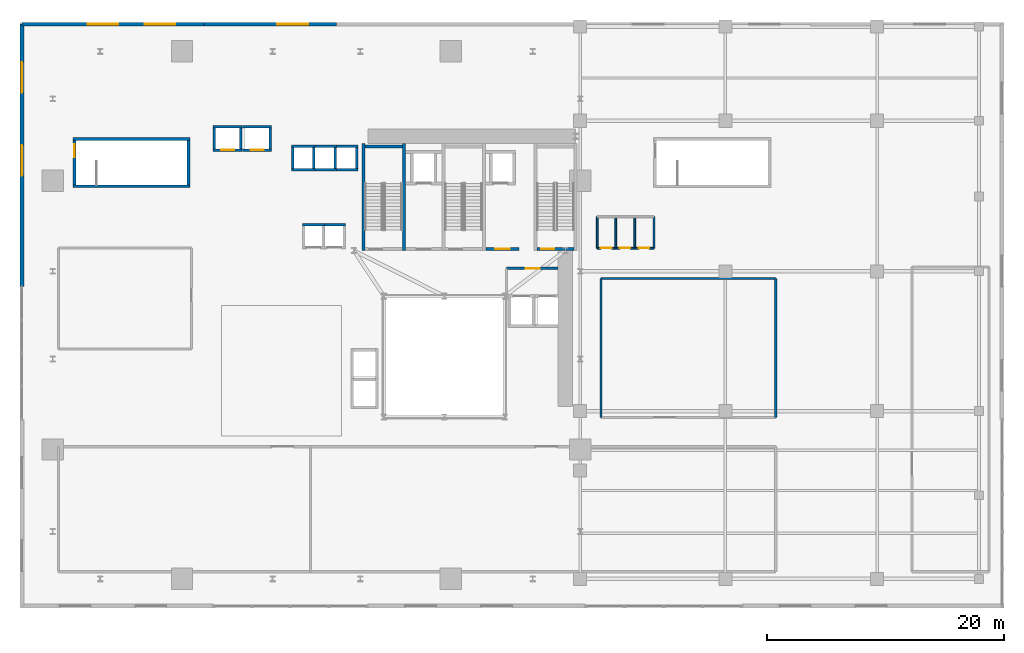
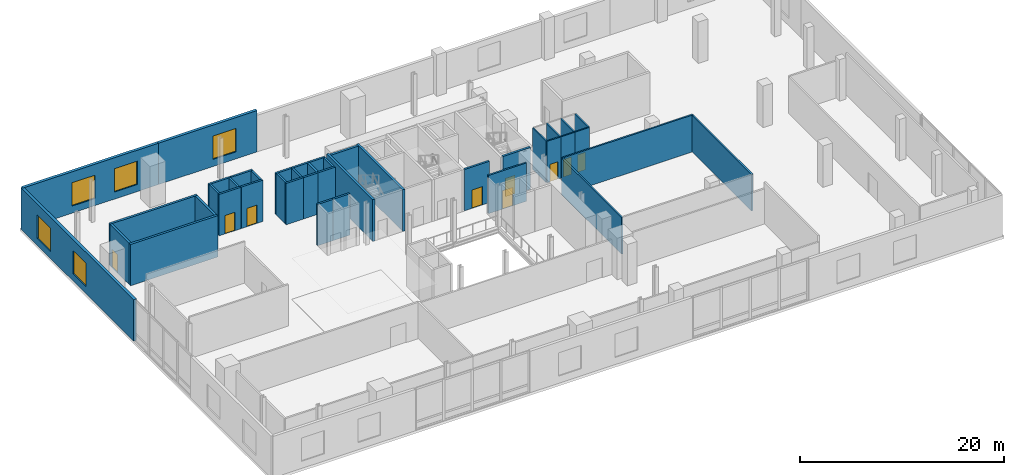
# One storey, part 8 of 13: 42 walls, 9 doors, 5 windows, 14 openings.
"""IFC4 building model written with IfcOpenShell, lengths in metres."""

from ifc_helpers import new_model, si_unit, direction, frame, frame_2d, origin, place, context, subcontext, project, spatial, rectangle, extrude, source, transform, mapped, material, layer, layer_set, type_object, element, fill, save


model = new_model("IFC4")

# Units and contexts
model_context = context("Model", 3, precision=1e-05, world=origin(), true_north=direction((0.0, 1.0)))
body_context = subcontext(model_context, "Body", "Model", "MODEL_VIEW")
ifc_project = project(units=[si_unit("LENGTHUNIT", "METRE"), si_unit("AREAUNIT", "SQUARE_METRE"), si_unit("VOLUMEUNIT", "CUBIC_METRE"), si_unit("PLANEANGLEUNIT", "RADIAN"), si_unit("MASSUNIT", "GRAM", prefix="KILO")], contexts=[model_context])

# Site, building, storey
site_placement = place(None, origin())
site = spatial("IfcSite", under=ifc_project, at=site_placement, CompositionType="ELEMENT")
building_placement = place(site_placement, origin())
building = spatial("IfcBuilding", under=site, at=building_placement, Name="Vardaveli Station Tower", CompositionType="ELEMENT")
storey_placement = place(building_placement, frame((0.0, 0.0, 22.39990234375)))
storey = spatial("IfcBuildingStorey", under=building, at=storey_placement, Name="L05", CompositionType="ELEMENT", Elevation=22.39990234375)

# Wall, openings, windows
ifc_material_1 = material(Name="Precast concrete C45/55", Category="concrete")
ifc_layer_1 = layer(ifc_material_1, 0.320068359375, Name="Precast concrete C45/55")
ifc_layer_set_1 = layer_set([ifc_layer_1], Name="Precast concrete C45/55")
wall_type_1 = type_object("IfcWallType", Name="WAL-EXT-STONE-320", PredefinedType="SOLIDWALL", material=ifc_layer_set_1)
shared_shape_1 = source(origin(), body_context, "Body", "SweptSolid", [
    extrude(rectangle(XDim=15.35009765625, YDim=0.320068359375, at=frame_2d((7.675048828125, 0.0))), origin(), (0.0, 0.0, 1.0), 4.960205078125),
])
wall_1_placement = place(storey_placement, frame((16.0, 49.75, 0.0), z_axis=(0.0, 0.0, 1.0), x_axis=(-1.0, 0.0, 0.0)))
wall_1 = element("IfcWall", 1, at=wall_1_placement, inside=storey, type_object=wall_type_1, Name="EW-L05-N1", PredefinedType="SOLIDWALL", context=body_context, shape_type="MappedRepresentation", body=[
    mapped(shared_shape_1, transform((0.0, 0.0, 0.0), scale=1.0)),
])
shared_shape_2 = source(origin(), body_context, "Body", "SweptSolid", [
    extrude(rectangle(XDim=2.60009765625, YDim=2.800048828125, at=frame_2d((1.300048828125, 1.39990234375))), frame((0.0, 0.169921875, 0.0), z_axis=(0.0, -1.0, 0.0), x_axis=(1.0, 0.0, 0.0)), (0.0, 0.0, 1.0), 0.340087890625),
])
opening_1_placement = place(wall_1_placement, frame((2.39990234375, 0.0, 0.85009765625)))
opening_1 = element("IfcOpeningElement", 2, at=opening_1_placement, cuts=wall_1, Name="Opening W-02", PredefinedType="OPENING", context=body_context, shape_type="MappedRepresentation", body=[
    mapped(shared_shape_2, transform((0.0, 0.0, 0.0), scale=1.0)),
])
opening_2_placement = place(wall_1_placement, frame((7.199951171875, 0.0, 0.85009765625)))
opening_2 = element("IfcOpeningElement", 3, at=opening_2_placement, cuts=wall_1, Name="Opening W-02", PredefinedType="OPENING", context=body_context, shape_type="MappedRepresentation", body=[
    mapped(shared_shape_2, transform((0.0, 0.0, 0.0), scale=1.0)),
])
ifc_material_2 = material(Name="Low-E solar-control glass", Category="glass")
window_type = type_object("IfcWindowType", Name="WIN-POD-2600x2800", PartitioningType="SINGLE_PANEL", PredefinedType="WINDOW", material=ifc_material_2)
shared_shape_3 = source(origin(), body_context, "Body", "SweptSolid", [
    extrude(rectangle(XDim=2.60009765625, YDim=2.800048828125, at=frame_2d((1.300048828125, 1.39990234375))), frame((0.0, 0.030029296875, 0.0), z_axis=(0.0, -1.0, 0.0), x_axis=(1.0, 0.0, 0.0)), (0.0, 0.0, 1.0), 0.06005859375),
])
window_1_placement = place(opening_1_placement, origin())
window_1 = element("IfcWindow", 4, at=window_1_placement, inside=storey, type_object=window_type, Name="WN-L05-N1A", OverallHeight=2.800048828125, OverallWidth=2.60009765625, PartitioningType="SINGLE_PANEL", PredefinedType="WINDOW", context=body_context, shape_type="MappedRepresentation", body=[
    mapped(shared_shape_3, transform((0.0, 0.0, 0.0), scale=1.0)),
])
fill(opening_1, window_1)
window_2_placement = place(opening_2_placement, origin())
window_2 = element("IfcWindow", 5, at=window_2_placement, inside=storey, type_object=window_type, Name="WN-L05-N1B", OverallHeight=2.800048828125, OverallWidth=2.60009765625, PartitioningType="SINGLE_PANEL", PredefinedType="WINDOW", context=body_context, shape_type="MappedRepresentation", body=[
    mapped(shared_shape_3, transform((0.0, 0.0, 0.0), scale=1.0)),
])
fill(opening_2, window_2)

# Wall, opening, window
shared_shape_4 = source(origin(), body_context, "Body", "SweptSolid", [
    extrude(rectangle(XDim=11.199951171875, YDim=0.320068359375, at=frame_2d((5.60009765625, 0.0))), origin(), (0.0, 0.0, 1.0), 4.960205078125),
])
wall_2_placement = place(storey_placement, frame((27.199951171875, 49.75, 0.0), z_axis=(0.0, 0.0, 1.0), x_axis=(-1.0, 0.0, 0.0)))
wall_2 = element("IfcWall", 6, at=wall_2_placement, inside=storey, type_object=wall_type_1, Name="EW-L05-N2", PredefinedType="SOLIDWALL", context=body_context, shape_type="MappedRepresentation", body=[
    mapped(shared_shape_4, transform((0.0, 0.0, 0.0), scale=1.0)),
])
opening_3_placement = place(wall_2_placement, frame((2.39990234375, 0.0, 0.85009765625)))
opening_3 = element("IfcOpeningElement", 7, at=opening_3_placement, cuts=wall_2, Name="Opening W-02", PredefinedType="OPENING", context=body_context, shape_type="MappedRepresentation", body=[
    mapped(shared_shape_2, transform((0.0, 0.0, 0.0), scale=1.0)),
])
window_3_placement = place(opening_3_placement, origin())
window_3 = element("IfcWindow", 8, at=window_3_placement, inside=storey, type_object=window_type, Name="WN-L05-N2A", OverallHeight=2.800048828125, OverallWidth=2.60009765625, PartitioningType="SINGLE_PANEL", PredefinedType="WINDOW", context=body_context, shape_type="MappedRepresentation", body=[
    mapped(shared_shape_3, transform((0.0, 0.0, 0.0), scale=1.0)),
])
fill(opening_3, window_3)

# Wall, openings, windows
shared_shape_5 = source(origin(), body_context, "Body", "SweptSolid", [
    extrude(rectangle(XDim=22.14990234375, YDim=0.320068359375, at=frame_2d((11.074951171875, 0.0))), origin(), (0.0, 0.0, 1.0), 4.960205078125),
])
wall_3_placement = place(storey_placement, frame((0.64990234375, 49.75, 0.0), z_axis=(0.0, 0.0, 1.0), x_axis=(0.0, -1.0, 0.0)))
wall_3 = element("IfcWall", 9, at=wall_3_placement, inside=storey, type_object=wall_type_1, Name="EW-L05-W3", PredefinedType="SOLIDWALL", context=body_context, shape_type="MappedRepresentation", body=[
    mapped(shared_shape_5, transform((0.0, 0.0, 0.0), scale=1.0)),
])
opening_4_placement = place(wall_3_placement, frame((3.199951171875, 0.0, 0.85009765625)))
opening_4 = element("IfcOpeningElement", 10, at=opening_4_placement, cuts=wall_3, Name="Opening W-02", PredefinedType="OPENING", context=body_context, shape_type="MappedRepresentation", body=[
    mapped(shared_shape_2, transform((0.0, 0.0, 0.0), scale=1.0)),
])
opening_5_placement = place(wall_3_placement, frame((10.199951171875, 0.0, 0.85009765625)))
opening_5 = element("IfcOpeningElement", 11, at=opening_5_placement, cuts=wall_3, Name="Opening W-02", PredefinedType="OPENING", context=body_context, shape_type="MappedRepresentation", body=[
    mapped(shared_shape_2, transform((0.0, 0.0, 0.0), scale=1.0)),
])
window_4_placement = place(opening_4_placement, origin())
window_4 = element("IfcWindow", 12, at=window_4_placement, inside=storey, type_object=window_type, Name="WN-L05-W3A", OverallHeight=2.800048828125, OverallWidth=2.60009765625, PartitioningType="SINGLE_PANEL", PredefinedType="WINDOW", context=body_context, shape_type="MappedRepresentation", body=[
    mapped(shared_shape_3, transform((0.0, 0.0, 0.0), scale=1.0)),
])
fill(opening_4, window_4)
window_5_placement = place(opening_5_placement, origin())
window_5 = element("IfcWindow", 13, at=window_5_placement, inside=storey, type_object=window_type, Name="WN-L05-W3B", OverallHeight=2.800048828125, OverallWidth=2.60009765625, PartitioningType="SINGLE_PANEL", PredefinedType="WINDOW", context=body_context, shape_type="MappedRepresentation", body=[
    mapped(shared_shape_3, transform((0.0, 0.0, 0.0), scale=1.0)),
])
fill(opening_5, window_5)

# Walls
ifc_material_3 = material(Name="Concrete C40/50", Category="concrete")
ifc_layer_2 = layer(ifc_material_3, 0.25, Name="Concrete C40/50")
ifc_layer_set_2 = layer_set([ifc_layer_2], Name="Concrete C40/50")
wall_type_2 = type_object("IfcWallType", Name="WAL-SHAFT-250", PredefinedType="SOLIDWALL", material=ifc_layer_set_2)
shared_shape_6 = source(origin(), body_context, "Body", "SweptSolid", [
    extrude(rectangle(XDim=9.050048828125, YDim=0.25, at=frame_2d((4.52490234375, 0.0))), origin(), (0.0, 0.0, 1.0), 5.0),
])
for number, where, z_axis, x_axis, name in (
    (14, (29.47509765625, 30.64990234375, 0.0), (0.0, 0.0, 1.0), (0.0, 1.0, 0.0), "W-L05-ST-1W"),
    (15, (32.875, 30.64990234375, 0.0), (0.0, 0.0, 1.0), (0.0, 1.0, 0.0), "W-L05-ST-1E"),
):
    element("IfcWall", number, at=place(storey_placement, frame(where, z_axis=z_axis, x_axis=x_axis)), inside=storey, type_object=wall_type_2, Name=name, PredefinedType="SOLIDWALL", context=body_context, shape_type="MappedRepresentation", body=[
        mapped(shared_shape_6, transform((0.0, 0.0, 0.0), scale=1.0)),
    ])
shared_shape_7 = source(origin(), body_context, "Body", "SweptSolid", [
    extrude(rectangle(XDim=3.14990234375, YDim=0.25, at=frame_2d((1.574951171875, 0.0))), origin(), (0.0, 0.0, 1.0), 5.0),
])
wall_4_placement = place(storey_placement, frame((29.60009765625, 39.425048828125, 0.0), z_axis=(0.0, 0.0, 1.0), x_axis=(1.0, 0.0, 0.0)))
element("IfcWall", 16, at=wall_4_placement, inside=storey, type_object=wall_type_2, Name="W-L05-ST-1N", PredefinedType="SOLIDWALL", context=body_context, shape_type="MappedRepresentation", body=[
    mapped(shared_shape_7, transform((0.0, 0.0, 0.0), scale=1.0)),
])

# Wall, opening, door
wall_5_placement = place(storey_placement, frame((44.10009765625, 30.77490234375, 0.0), z_axis=(0.0, 0.0, 1.0), x_axis=(1.0, 0.0, 0.0)))
wall_5 = element("IfcWall", 17, at=wall_5_placement, inside=storey, type_object=wall_type_2, Name="W-L05-ST-3S", PredefinedType="SOLIDWALL", context=body_context, shape_type="MappedRepresentation", body=[
    mapped(shared_shape_7, transform((0.0, 0.0, 0.0), scale=1.0)),
])
shared_shape_8 = source(origin(), body_context, "Body", "SweptSolid", [
    extrude(rectangle(XDim=1.10009765625, YDim=2.199951171875, at=frame_2d((0.550048828125, 1.10009765625))), frame((0.0, 0.135009765625, 0.0), z_axis=(0.0, -1.0, 0.0), x_axis=(1.0, 0.0, 0.0)), (0.0, 0.0, 1.0), 0.27001953125),
])
opening_6_placement = place(wall_5_placement, frame((0.35009765625, 0.0, 0.0)))
opening_6 = element("IfcOpeningElement", 18, at=opening_6_placement, cuts=wall_5, Name="Opening D-04", PredefinedType="OPENING", context=body_context, shape_type="MappedRepresentation", body=[
    mapped(shared_shape_8, transform((0.0, 0.0, 0.0), scale=1.0)),
])
ifc_material_4 = material(Name="Steel smokeproof fire doorset", Category="steel")
door_type_1 = type_object("IfcDoorType", Name="DR-ST-1100x2200", OperationType="NOTDEFINED", PredefinedType="DOOR", material=ifc_material_4)
shared_shape_9 = source(origin(), body_context, "Body", "SweptSolid", [
    extrude(rectangle(XDim=1.10009765625, YDim=2.199951171875, at=frame_2d((0.550048828125, 1.10009765625))), frame((0.0, 0.02490234375, 0.0), z_axis=(0.0, -1.0, 0.0), x_axis=(1.0, 0.0, 0.0)), (0.0, 0.0, 1.0), 0.050048828125),
])
door_1_placement = place(opening_6_placement, origin())
door_1 = element("IfcDoor", 19, at=door_1_placement, inside=storey, type_object=door_type_1, Name="DST-3-L05", OperationType="SINGLE_SWING_LEFT", OverallHeight=2.199951171875, OverallWidth=1.10009765625, PredefinedType="DOOR", context=body_context, shape_type="MappedRepresentation", body=[
    mapped(shared_shape_9, transform((0.0, 0.0, 0.0), scale=1.0)),
])
fill(opening_6, door_1)

# Walls
shared_shape_10 = source(origin(), body_context, "Body", "SweptSolid", [
    extrude(rectangle(XDim=9.900146484375, YDim=0.25, at=frame_2d((4.9501953125, 0.0))), origin(), (0.0, 0.0, 1.0), 4.960205078125),
])
for number, where, z_axis, x_axis, name in (
    (20, (4.949951171875, 36.074951171875, 0.0), (0.0, 0.0, 1.0), (1.0, 0.0, 0.0), "W-L05-ST-P1S"),
    (21, (4.949951171875, 40.074951171875, 0.0), (0.0, 0.0, 1.0), (1.0, 0.0, 0.0), "W-L05-ST-P1N"),
):
    element("IfcWall", number, at=place(storey_placement, frame(where, z_axis=z_axis, x_axis=x_axis)), inside=storey, type_object=wall_type_2, Name=name, PredefinedType="SOLIDWALL", context=body_context, shape_type="MappedRepresentation", body=[
        mapped(shared_shape_10, transform((0.0, 0.0, 0.0), scale=1.0)),
    ])
shared_shape_11 = source(origin(), body_context, "Body", "SweptSolid", [
    extrude(rectangle(XDim=3.75, YDim=0.25, at=frame_2d((1.875, 0.0))), origin(), (0.0, 0.0, 1.0), 4.960205078125),
])
wall_6_placement = place(storey_placement, frame((14.72509765625, 36.199951171875, 0.0), z_axis=(0.0, 0.0, 1.0), x_axis=(0.0, 1.0, 0.0)))
element("IfcWall", 22, at=wall_6_placement, inside=storey, type_object=wall_type_2, Name="W-L05-ST-P1E", PredefinedType="SOLIDWALL", context=body_context, shape_type="MappedRepresentation", body=[
    mapped(shared_shape_11, transform((0.0, 0.0, 0.0), scale=1.0)),
])

# Wall, opening, door
wall_7_placement = place(storey_placement, frame((5.074951171875, 36.199951171875, 0.0), z_axis=(0.0, 0.0, 1.0), x_axis=(0.0, 1.0, 0.0)))
wall_7 = element("IfcWall", 23, at=wall_7_placement, inside=storey, type_object=wall_type_2, Name="W-L05-ST-P1W", PredefinedType="SOLIDWALL", context=body_context, shape_type="MappedRepresentation", body=[
    mapped(shared_shape_11, transform((0.0, 0.0, 0.0), scale=1.0)),
])
opening_7_placement = place(wall_7_placement, frame((2.300048828125, 0.0, 0.0)))
opening_7 = element("IfcOpeningElement", 24, at=opening_7_placement, cuts=wall_7, Name="Opening D-04", PredefinedType="OPENING", context=body_context, shape_type="MappedRepresentation", body=[
    mapped(shared_shape_8, transform((0.0, 0.0, 0.0), scale=1.0)),
])
door_2_placement = place(opening_7_placement, origin())
door_2 = element("IfcDoor", 25, at=door_2_placement, inside=storey, type_object=door_type_1, Name="DST-P1-L05", OperationType="SINGLE_SWING_RIGHT", OverallHeight=2.199951171875, OverallWidth=1.10009765625, PredefinedType="DOOR", context=body_context, shape_type="MappedRepresentation", body=[
    mapped(shared_shape_9, transform((0.0, 0.0, 0.0), scale=1.0)),
])
fill(opening_7, door_2)

ifc_layer_3 = layer(ifc_material_3, 0.219970703125, Name="Concrete C40/50")
ifc_layer_set_3 = layer_set([ifc_layer_3], Name="Concrete C40/50")
wall_type_3 = type_object("IfcWallType", Name="WAL-FFLOBBY-220", PredefinedType="SOLIDWALL", material=ifc_layer_set_3)
shared_shape_12 = source(origin(), body_context, "Body", "SweptSolid", [
    extrude(rectangle(XDim=2.800048828125, YDim=0.219970703125, at=frame_2d((1.39990234375, 0.0))), origin(), (0.0, 0.0, 1.0), 4.960205078125),
])
wall_8_placement = place(storey_placement, frame((39.800048828125, 30.780029296875, 0.0), z_axis=(0.0, 0.0, 1.0), x_axis=(1.0, 0.0, 0.0)))
wall_8 = element("IfcWall", 26, at=wall_8_placement, inside=storey, type_object=wall_type_3, Name="W-L05-FFL2S", PredefinedType="SOLIDWALL", context=body_context, shape_type="MappedRepresentation", body=[
    mapped(shared_shape_12, transform((0.0, 0.0, 0.0), scale=1.0)),
])
shared_shape_13 = source(origin(), body_context, "Body", "SweptSolid", [
    extrude(rectangle(XDim=1.199951171875, YDim=2.199951171875, at=frame_2d((0.60009765625, 1.10009765625))), frame((0.0, 0.1201171875, 0.0), z_axis=(0.0, -1.0, 0.0), x_axis=(1.0, 0.0, 0.0)), (0.0, 0.0, 1.0), 0.239990234375),
])
opening_8_placement = place(wall_8_placement, frame((0.800048828125, 0.0, 0.0)))
opening_8 = element("IfcOpeningElement", 27, at=opening_8_placement, cuts=wall_8, Name="Opening D-03", PredefinedType="OPENING", context=body_context, shape_type="MappedRepresentation", body=[
    mapped(shared_shape_13, transform((0.0, 0.0, 0.0), scale=1.0)),
])
door_type_2 = type_object("IfcDoorType", Name="DR-FFL-1200x2200", OperationType="NOTDEFINED", PredefinedType="DOOR", material=ifc_material_4)
shared_shape_14 = source(origin(), body_context, "Body", "SweptSolid", [
    extrude(rectangle(XDim=1.199951171875, YDim=2.199951171875, at=frame_2d((0.60009765625, 1.10009765625))), frame((0.0, 0.02490234375, 0.0), z_axis=(0.0, -1.0, 0.0), x_axis=(1.0, 0.0, 0.0)), (0.0, 0.0, 1.0), 0.050048828125),
])
door_3_placement = place(opening_8_placement, origin())
door_3 = element("IfcDoor", 28, at=door_3_placement, inside=storey, type_object=door_type_2, Name="DFFL2-L05", OperationType="SINGLE_SWING_RIGHT", OverallHeight=2.199951171875, OverallWidth=1.199951171875, PredefinedType="DOOR", context=body_context, shape_type="MappedRepresentation", body=[
    mapped(shared_shape_14, transform((0.0, 0.0, 0.0), scale=1.0)),
])
fill(opening_8, door_3)

shared_shape_15 = source(origin(), body_context, "Body", "SweptSolid", [
    extrude(rectangle(XDim=2.43994140625, YDim=0.219970703125, at=frame_2d((1.219970703125, 0.0))), origin(), (0.0, 0.0, 1.0), 4.960205078125),
])
wall_9_placement = place(storey_placement, frame((16.780029296875, 39.114990234375, 0.0), z_axis=(0.0, 0.0, 1.0), x_axis=(1.0, 0.0, 0.0)))
wall_9 = element("IfcWall", 29, at=wall_9_placement, inside=storey, type_object=wall_type_3, Name="SHW-POD-01-L05-S", PredefinedType="SOLIDWALL", context=body_context, shape_type="MappedRepresentation", body=[
    mapped(shared_shape_15, transform((0.0, 0.0, 0.0), scale=1.0)),
])
shared_shape_16 = source(origin(), body_context, "Body", "SweptSolid", [
    extrude(rectangle(XDim=1.10009765625, YDim=2.199951171875, at=frame_2d((0.550048828125, 1.10009765625))), frame((0.0, 0.1201171875, 0.0), z_axis=(0.0, -1.0, 0.0), x_axis=(1.0, 0.0, 0.0)), (0.0, 0.0, 1.0), 0.239990234375),
])
opening_9_placement = place(wall_9_placement, frame((0.669921875, 0.0, 0.0)))
opening_9 = element("IfcOpeningElement", 30, at=opening_9_placement, cuts=wall_9, Name="Opening LD-01", PredefinedType="OPENING", context=body_context, shape_type="MappedRepresentation", body=[
    mapped(shared_shape_16, transform((0.0, 0.0, 0.0), scale=1.0)),
])
ifc_material_5 = material(Name="Brushed stainless steel", Category="steel")
door_type_3 = type_object("IfcDoorType", Name="DR-LD-1100x2200", OperationType="DOUBLE_DOOR_SLIDING", PredefinedType="DOOR", material=ifc_material_5)
door_4_placement = place(opening_9_placement, origin())
door_4 = element("IfcDoor", 31, at=door_4_placement, inside=storey, type_object=door_type_3, Name="LD-POD-01-L05", OperationType="DOUBLE_DOOR_SLIDING", OverallHeight=2.199951171875, OverallWidth=1.10009765625, PredefinedType="DOOR", context=body_context, shape_type="MappedRepresentation", body=[
    mapped(shared_shape_9, transform((0.0, 0.0, 0.0), scale=1.0)),
])
fill(opening_9, door_4)

# Wall
wall_10_placement = place(storey_placement, frame((16.780029296875, 41.0849609375, 0.0), z_axis=(0.0, 0.0, 1.0), x_axis=(1.0, 0.0, 0.0)))
element("IfcWall", 32, at=wall_10_placement, inside=storey, type_object=wall_type_3, Name="SHW-POD-01-L05-N", PredefinedType="SOLIDWALL", context=body_context, shape_type="MappedRepresentation", body=[
    mapped(shared_shape_15, transform((0.0, 0.0, 0.0), scale=1.0)),
])

# Wall, opening, door
wall_11_placement = place(storey_placement, frame((19.280029296875, 39.114990234375, 0.0), z_axis=(0.0, 0.0, 1.0), x_axis=(1.0, 0.0, 0.0)))
wall_11 = element("IfcWall", 33, at=wall_11_placement, inside=storey, type_object=wall_type_3, Name="SHW-POD-02-L05-S", PredefinedType="SOLIDWALL", context=body_context, shape_type="MappedRepresentation", body=[
    mapped(shared_shape_15, transform((0.0, 0.0, 0.0), scale=1.0)),
])
opening_10_placement = place(wall_11_placement, frame((0.669921875, 0.0, 0.0)))
opening_10 = element("IfcOpeningElement", 34, at=opening_10_placement, cuts=wall_11, Name="Opening LD-01", PredefinedType="OPENING", context=body_context, shape_type="MappedRepresentation", body=[
    mapped(shared_shape_16, transform((0.0, 0.0, 0.0), scale=1.0)),
])
door_5_placement = place(opening_10_placement, origin())
door_5 = element("IfcDoor", 35, at=door_5_placement, inside=storey, type_object=door_type_3, Name="LD-POD-02-L05", OperationType="DOUBLE_DOOR_SLIDING", OverallHeight=2.199951171875, OverallWidth=1.10009765625, PredefinedType="DOOR", context=body_context, shape_type="MappedRepresentation", body=[
    mapped(shared_shape_9, transform((0.0, 0.0, 0.0), scale=1.0)),
])
fill(opening_10, door_5)

# Walls
wall_12_placement = place(storey_placement, frame((19.280029296875, 41.0849609375, 0.0), z_axis=(0.0, 0.0, 1.0), x_axis=(1.0, 0.0, 0.0)))
element("IfcWall", 36, at=wall_12_placement, inside=storey, type_object=wall_type_3, Name="SHW-POD-02-L05-N", PredefinedType="SOLIDWALL", context=body_context, shape_type="MappedRepresentation", body=[
    mapped(shared_shape_15, transform((0.0, 0.0, 0.0), scale=1.0)),
])
shared_shape_17 = source(origin(), body_context, "Body", "SweptSolid", [
    extrude(rectangle(XDim=1.75, YDim=0.219970703125, at=frame_2d((0.875, 0.0))), origin(), (0.0, 0.0, 1.0), 4.960205078125),
])
for number, where, z_axis, x_axis, name in (
    (37, (16.889892578125, 39.22509765625, 0.0), (0.0, 0.0, 1.0), (0.0, 1.0, 0.0), "SHW-POD-01-L05-W"),
    (38, (19.110107421875, 39.22509765625, 0.0), (0.0, 0.0, 1.0), (0.0, 1.0, 0.0), "SHW-POD-01-L05-E"),
    (39, (21.610107421875, 39.22509765625, 0.0), (0.0, 0.0, 1.0), (0.0, 1.0, 0.0), "SHW-POD-02-L05-E"),
    (40, (23.514892578125, 37.574951171875, 0.0), (0.0, 0.0, 1.0), (0.0, 1.0, 0.0), "SHW-HL1-01-L05-W"),
    (41, (25.284912109375, 37.574951171875, 0.0), (0.0, 0.0, 1.0), (0.0, 1.0, 0.0), "SHW-HL1-01-L05-E"),
    (42, (27.0849609375, 37.574951171875, 0.0), (0.0, 0.0, 1.0), (0.0, 1.0, 0.0), "SHW-HL1-02-L05-E"),
    (43, (28.885009765625, 37.574951171875, 0.0), (0.0, 0.0, 1.0), (0.0, 1.0, 0.0), "SHW-HL1-03-L05-E"),
):
    element("IfcWall", number, at=place(storey_placement, frame(where, z_axis=z_axis, x_axis=x_axis)), inside=storey, type_object=wall_type_3, Name=name, PredefinedType="SOLIDWALL", context=body_context, shape_type="MappedRepresentation", body=[
        mapped(shared_shape_17, transform((0.0, 0.0, 0.0), scale=1.0)),
    ])
shared_shape_18 = source(origin(), body_context, "Body", "SweptSolid", [
    extrude(rectangle(XDim=1.989990234375, YDim=0.219970703125, at=frame_2d((0.9951171875, 0.0))), origin(), (0.0, 0.0, 1.0), 4.960205078125),
])
for number, where, z_axis, x_axis, name in (
    (44, (23.405029296875, 37.465087890625, 0.0), (0.0, 0.0, 1.0), (1.0, 0.0, 0.0), "SHW-HL1-01-L05-S"),
    (45, (23.405029296875, 39.43505859375, 0.0), (0.0, 0.0, 1.0), (1.0, 0.0, 0.0), "SHW-HL1-01-L05-N"),
    (46, (25.205078125, 37.465087890625, 0.0), (0.0, 0.0, 1.0), (1.0, 0.0, 0.0), "SHW-HL1-02-L05-S"),
    (47, (25.205078125, 39.43505859375, 0.0), (0.0, 0.0, 1.0), (1.0, 0.0, 0.0), "SHW-HL1-02-L05-N"),
):
    element("IfcWall", number, at=place(storey_placement, frame(where, z_axis=z_axis, x_axis=x_axis)), inside=storey, type_object=wall_type_3, Name=name, PredefinedType="SOLIDWALL", context=body_context, shape_type="MappedRepresentation", body=[
        mapped(shared_shape_18, transform((0.0, 0.0, 0.0), scale=1.0)),
    ])
shared_shape_19 = source(origin(), body_context, "Body", "SweptSolid", [
    extrude(rectangle(XDim=1.990234375, YDim=0.219970703125, at=frame_2d((0.9951171875, 0.0))), origin(), (0.0, 0.0, 1.0), 4.960205078125),
])
for number, where, z_axis, x_axis, name in (
    (48, (27.0048828125, 37.465087890625, 0.0), (0.0, 0.0, 1.0), (1.0, 0.0, 0.0), "SHW-HL1-03-L05-S"),
    (49, (27.0048828125, 39.43505859375, 0.0), (0.0, 0.0, 1.0), (1.0, 0.0, 0.0), "SHW-HL1-03-L05-N"),
):
    element("IfcWall", number, at=place(storey_placement, frame(where, z_axis=z_axis, x_axis=x_axis)), inside=storey, type_object=wall_type_3, Name=name, PredefinedType="SOLIDWALL", context=body_context, shape_type="MappedRepresentation", body=[
        mapped(shared_shape_19, transform((0.0, 0.0, 0.0), scale=1.0)),
    ])
shared_shape_20 = source(origin(), body_context, "Body", "SweptSolid", [
    extrude(rectangle(XDim=1.89013671875, YDim=0.219970703125, at=frame_2d((0.945068359375, 0.0))), origin(), (0.0, 0.0, 1.0), 4.960205078125),
])
for number, where, z_axis, x_axis, name in (
    (50, (24.304931640625, 32.81005859375, 0.0), (0.0, 0.0, 1.0), (1.0, 0.0, 0.0), "SHW-SHU-01-L05-N"),
    (51, (26.054931640625, 32.81005859375, 0.0), (0.0, 0.0, 1.0), (1.0, 0.0, 0.0), "SHW-SHU-02-L05-N"),
):
    element("IfcWall", number, at=place(storey_placement, frame(where, z_axis=z_axis, x_axis=x_axis)), inside=storey, type_object=wall_type_3, Name=name, PredefinedType="SOLIDWALL", context=body_context, shape_type="MappedRepresentation", body=[
        mapped(shared_shape_20, transform((0.0, 0.0, 0.0), scale=1.0)),
    ])
ifc_material_6 = material(Name="Fire-rated gypsum stud partition")
ifc_layer_4 = layer(ifc_material_6, 0.179931640625, Name="Fire-rated gypsum stud partition")
ifc_layer_set_4 = layer_set([ifc_layer_4], Name="Fire-rated gypsum stud partition")
wall_type_4 = type_object("IfcWallType", Name="WAL-CORR-180", PredefinedType="PARTITIONING", material=ifc_layer_set_4)
shared_shape_21 = source(origin(), body_context, "Body", "SweptSolid", [
    extrude(rectangle(XDim=14.75, YDim=0.179931640625, at=frame_2d((7.375, 0.0))), origin(), (0.0, 0.0, 1.0), 4.43212890625),
])
wall_13_placement = place(storey_placement, frame((49.5, 28.300048828125, 0.0), z_axis=(0.0, 0.0, 1.0), x_axis=(1.0, 0.0, 0.0)))
element("IfcWall", 52, at=wall_13_placement, inside=storey, type_object=wall_type_4, Name="W-L05-MN3-N", PredefinedType="PARTITIONING", context=body_context, shape_type="MappedRepresentation", body=[
    mapped(shared_shape_21, transform((0.0, 0.0, 0.0), scale=1.0)),
])

# Wall, opening, door
shared_shape_22 = source(origin(), body_context, "Body", "SweptSolid", [
    extrude(rectangle(XDim=4.347900390625, YDim=0.179931640625, at=frame_2d((2.173828125, 0.0))), origin(), (0.0, 0.0, 1.0), 4.592041015625),
])
wall_14_placement = place(storey_placement, frame((41.550048828125, 29.14990234375, 0.0), z_axis=(0.0, 0.0, 1.0), x_axis=(1.0, 0.0, 0.0)))
wall_14 = element("IfcWall", 53, at=wall_14_placement, inside=storey, type_object=wall_type_4, Name="W-L05-SVFN", PredefinedType="PARTITIONING", context=body_context, shape_type="MappedRepresentation", body=[
    mapped(shared_shape_22, transform((0.0, 0.0, 0.0), scale=1.0)),
])
shared_shape_23 = source(origin(), body_context, "Body", "SweptSolid", [
    extrude(rectangle(XDim=1.199951171875, YDim=2.199951171875, at=frame_2d((0.60009765625, 1.10009765625))), frame((0.0, 0.10009765625, 0.0), z_axis=(0.0, -1.0, 0.0), x_axis=(1.0, 0.0, 0.0)), (0.0, 0.0, 1.0), 0.199951171875),
])
opening_11_placement = place(wall_14_placement, frame((1.60009765625, 0.0, 0.0)))
opening_11 = element("IfcOpeningElement", 54, at=opening_11_placement, cuts=wall_14, Name="Opening D-03", PredefinedType="OPENING", context=body_context, shape_type="MappedRepresentation", body=[
    mapped(shared_shape_23, transform((0.0, 0.0, 0.0), scale=1.0)),
])
door_6_placement = place(opening_11_placement, origin())
door_6 = element("IfcDoor", 55, at=door_6_placement, inside=storey, type_object=door_type_2, Name="D-L05-SVF", OperationType="SINGLE_SWING_RIGHT", OverallHeight=2.199951171875, OverallWidth=1.199951171875, PredefinedType="DOOR", context=body_context, shape_type="MappedRepresentation", body=[
    mapped(shared_shape_14, transform((0.0, 0.0, 0.0), scale=1.0)),
])
fill(opening_11, door_6)

ifc_material_7 = material(Name="Moisture-resistant stud partition")
ifc_layer_5 = layer(ifc_material_7, 0.14990234375, Name="Moisture-resistant stud partition")
ifc_layer_set_5 = layer_set([ifc_layer_5], Name="Moisture-resistant stud partition")
wall_type_5 = type_object("IfcWallType", Name="WAL-WET-150", PredefinedType="PARTITIONING", material=ifc_layer_set_5)
shared_shape_24 = source(origin(), body_context, "Body", "SweptSolid", [
    extrude(rectangle(XDim=1.619873046875, YDim=0.14990234375, at=frame_2d((0.81005859375, 0.0))), origin(), (0.0, 0.0, 1.0), 4.960205078125),
])
wall_15_placement = place(storey_placement, frame((52.360107421875, 30.85009765625, 0.0), z_axis=(0.0, 0.0, 1.0), x_axis=(1.0, 0.0, 0.0)))
wall_15 = element("IfcWall", 56, at=wall_15_placement, inside=storey, type_object=wall_type_5, Name="W-L05-WCF-S", PredefinedType="PARTITIONING", context=body_context, shape_type="MappedRepresentation", body=[
    mapped(shared_shape_24, transform((0.0, 0.0, 0.0), scale=1.0)),
])
shared_shape_25 = source(origin(), body_context, "Body", "SweptSolid", [
    extrude(rectangle(XDim=0.919921875, YDim=2.10009765625, at=frame_2d((0.4599609375, 1.050048828125))), frame((0.0, 0.0849609375, 0.0), z_axis=(0.0, -1.0, 0.0), x_axis=(1.0, 0.0, 0.0)), (0.0, 0.0, 1.0), 0.169921875),
])
opening_12_placement = place(wall_15_placement, frame((0.320068359375, 0.0, 0.0)))
opening_12 = element("IfcOpeningElement", 57, at=opening_12_placement, cuts=wall_15, Name="Opening D-07", PredefinedType="OPENING", context=body_context, shape_type="MappedRepresentation", body=[
    mapped(shared_shape_25, transform((0.0, 0.0, 0.0), scale=1.0)),
])
ifc_material_8 = material(Name="Moisture-resistant hardwood door", Category="wood")
door_type_4 = type_object("IfcDoorType", Name="DR-WC-920x2100", OperationType="NOTDEFINED", PredefinedType="DOOR", material=ifc_material_8)
shared_shape_26 = source(origin(), body_context, "Body", "SweptSolid", [
    extrude(rectangle(XDim=0.919921875, YDim=2.10009765625, at=frame_2d((0.4599609375, 1.050048828125))), frame((0.0, 0.02490234375, 0.0), z_axis=(0.0, -1.0, 0.0), x_axis=(1.0, 0.0, 0.0)), (0.0, 0.0, 1.0), 0.050048828125),
])
door_7_placement = place(opening_12_placement, origin())
door_7 = element("IfcDoor", 58, at=door_7_placement, inside=storey, type_object=door_type_4, Name="D-L05-WCF", OperationType="SINGLE_SWING_LEFT", OverallHeight=2.10009765625, OverallWidth=0.919921875, PredefinedType="DOOR", context=body_context, shape_type="MappedRepresentation", body=[
    mapped(shared_shape_26, transform((0.0, 0.0, 0.0), scale=1.0)),
])
fill(opening_12, door_7)

shared_shape_27 = source(origin(), body_context, "Body", "SweptSolid", [
    extrude(rectangle(XDim=1.610107421875, YDim=0.14990234375, at=frame_2d((0.80517578125, 0.0))), origin(), (0.0, 0.0, 1.0), 4.960205078125),
])
wall_16_placement = place(storey_placement, frame((50.75, 30.85009765625, 0.0), z_axis=(0.0, 0.0, 1.0), x_axis=(1.0, 0.0, 0.0)))
wall_16 = element("IfcWall", 59, at=wall_16_placement, inside=storey, type_object=wall_type_5, Name="W-L05-WCM-S", PredefinedType="PARTITIONING", context=body_context, shape_type="MappedRepresentation", body=[
    mapped(shared_shape_27, transform((0.0, 0.0, 0.0), scale=1.0)),
])
opening_13_placement = place(wall_16_placement, frame((0.320068359375, 0.0, 0.0)))
opening_13 = element("IfcOpeningElement", 60, at=opening_13_placement, cuts=wall_16, Name="Opening D-07", PredefinedType="OPENING", context=body_context, shape_type="MappedRepresentation", body=[
    mapped(shared_shape_25, transform((0.0, 0.0, 0.0), scale=1.0)),
])
door_8_placement = place(opening_13_placement, origin())
door_8 = element("IfcDoor", 61, at=door_8_placement, inside=storey, type_object=door_type_4, Name="D-L05-WCM", OperationType="SINGLE_SWING_RIGHT", OverallHeight=2.10009765625, OverallWidth=0.919921875, PredefinedType="DOOR", context=body_context, shape_type="MappedRepresentation", body=[
    mapped(shared_shape_26, transform((0.0, 0.0, 0.0), scale=1.0)),
])
fill(opening_13, door_8)

shared_shape_28 = source(origin(), body_context, "Body", "SweptSolid", [
    extrude(rectangle(XDim=1.550048828125, YDim=0.14990234375, at=frame_2d((0.77490234375, 0.0))), origin(), (0.0, 0.0, 1.0), 4.960205078125),
])
wall_17_placement = place(storey_placement, frame((49.199951171875, 30.85009765625, 0.0), z_axis=(0.0, 0.0, 1.0), x_axis=(1.0, 0.0, 0.0)))
wall_17 = element("IfcWall", 62, at=wall_17_placement, inside=storey, type_object=wall_type_5, Name="W-L05-WCA-S", PredefinedType="PARTITIONING", context=body_context, shape_type="MappedRepresentation", body=[
    mapped(shared_shape_28, transform((0.0, 0.0, 0.0), scale=1.0)),
])
opening_14_placement = place(wall_17_placement, frame((0.300048828125, 0.0, 0.0)))
opening_14 = element("IfcOpeningElement", 63, at=opening_14_placement, cuts=wall_17, Name="Opening D-07", PredefinedType="OPENING", context=body_context, shape_type="MappedRepresentation", body=[
    mapped(shared_shape_25, transform((0.0, 0.0, 0.0), scale=1.0)),
])
door_9_placement = place(opening_14_placement, origin())
door_9 = element("IfcDoor", 64, at=door_9_placement, inside=storey, type_object=door_type_4, Name="D-L05-WCA", OperationType="SINGLE_SWING_LEFT", OverallHeight=2.10009765625, OverallWidth=0.919921875, PredefinedType="DOOR", context=body_context, shape_type="MappedRepresentation", body=[
    mapped(shared_shape_26, transform((0.0, 0.0, 0.0), scale=1.0)),
])
fill(opening_14, door_9)

# Walls
shared_shape_29 = source(origin(), body_context, "Body", "SweptSolid", [
    extrude(rectangle(XDim=11.75, YDim=0.179931640625, at=frame_2d((5.875, 0.0))), origin(), (0.0, 0.0, 1.0), 4.382080078125),
])
for number, where, z_axis, x_axis, name in (
    (65, (49.5, 16.550048828125, 0.0), (0.0, 0.0, 1.0), (0.0, 1.0, 0.0), "W-L05-MN3-W"),
    (66, (64.25, 16.550048828125, 0.0), (0.0, 0.0, 1.0), (0.0, 1.0, 0.0), "W-L05-MN3-E"),
):
    element("IfcWall", number, at=place(storey_placement, frame(where, z_axis=z_axis, x_axis=x_axis)), inside=storey, type_object=wall_type_4, Name=name, PredefinedType="PARTITIONING", context=body_context, shape_type="MappedRepresentation", body=[
        mapped(shared_shape_29, transform((0.0, 0.0, 0.0), scale=1.0)),
    ])
shared_shape_30 = source(origin(), body_context, "Body", "SweptSolid", [
    extrude(rectangle(XDim=2.64990234375, YDim=0.14990234375, at=frame_2d((1.324951171875, 0.0))), origin(), (0.0, 0.0, 1.0), 4.960205078125),
])
for number, where, z_axis, x_axis, name in (
    (67, (49.199951171875, 30.85009765625, 0.0), (0.0, 0.0, 1.0), (0.0, 1.0, 0.0), "W-L05-WCA-W"),
    (68, (50.75, 30.85009765625, 0.0), (0.0, 0.0, 1.0), (0.0, 1.0, 0.0), "W-L05-WCA-E"),
    (69, (52.360107421875, 30.85009765625, 0.0), (0.0, 0.0, 1.0), (0.0, 1.0, 0.0), "W-L05-WCM-E"),
    (70, (53.97998046875, 30.85009765625, 0.0), (0.0, 0.0, 1.0), (0.0, 1.0, 0.0), "W-L05-WCF-E"),
):
    element("IfcWall", number, at=place(storey_placement, frame(where, z_axis=z_axis, x_axis=x_axis)), inside=storey, type_object=wall_type_5, Name=name, PredefinedType="PARTITIONING", context=body_context, shape_type="MappedRepresentation", body=[
        mapped(shared_shape_30, transform((0.0, 0.0, 0.0), scale=1.0)),
    ])

save(model, "model.ifc")
